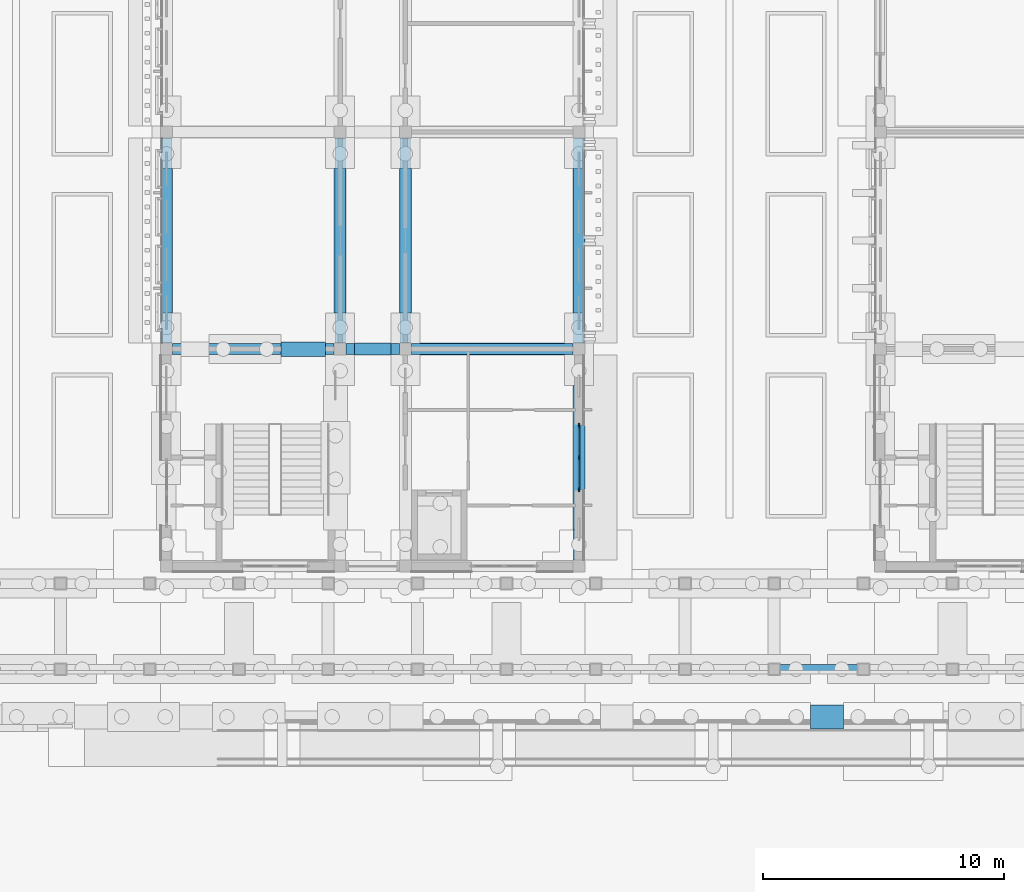
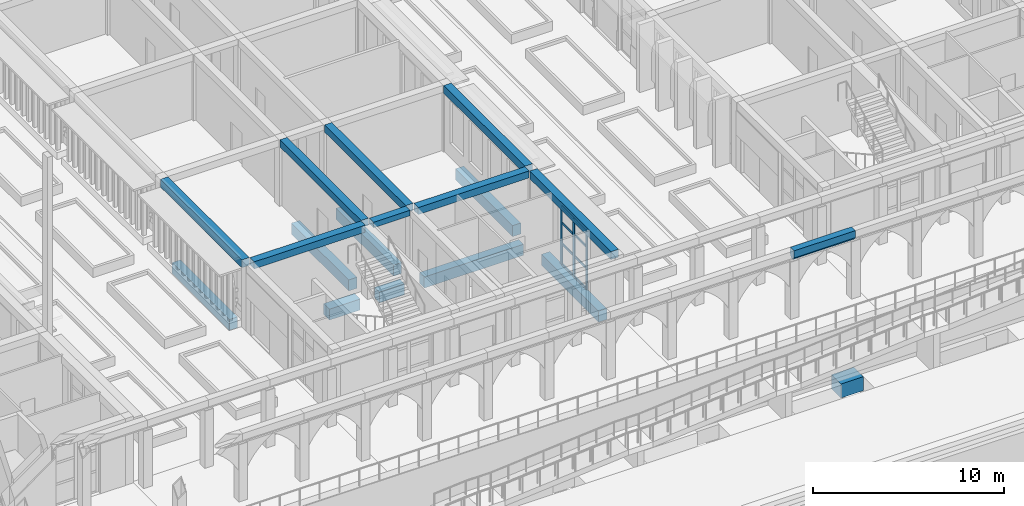
# One storey, part 32 of 161: 18 beams, 11 members, 1 element without a shape of its own.
"""IFC4 building model written with IfcOpenShell, lengths in metres."""

from ifc_helpers import new_model, si_unit, direction, frame, origin, origin_2d, place, context, subcontext, project, spatial, polyline, rectangle, outline, extrude, material, layer, layer_set, material_profile, profile_set, type_object, element, aggregate, save


model = new_model("IFC4")

# Units and contexts
model_context = context("Model", 3, precision=1e-05, world=origin(), true_north=direction((0.0, 1.0)))
body_context = subcontext(model_context, "Body", "Model", "MODEL_VIEW")
ifc_project = project(units=[si_unit("LENGTHUNIT", "METRE"), si_unit("AREAUNIT", "SQUARE_METRE"), si_unit("VOLUMEUNIT", "CUBIC_METRE"), si_unit("PLANEANGLEUNIT", "RADIAN"), si_unit("MASSUNIT", "GRAM", prefix="KILO")], contexts=[model_context])

# Site, building, storey
site_placement = place(None, origin())
site = spatial("IfcSite", under=ifc_project, at=site_placement, CompositionType="ELEMENT")
building_placement = place(site_placement, origin())
building = spatial("IfcBuilding", under=site, at=building_placement, Name="Elbe Cascade School", CompositionType="ELEMENT")
storey_placement = place(building_placement, origin())
storey = spatial("IfcBuildingStorey", under=building, at=storey_placement, Name="L00", CompositionType="ELEMENT", Elevation=0.0)

# Curtain wall, members
ifc_material_1 = material(Name="Aluminium frame with double glazing, bronze anodised", Category="aluminium")
ifc_layer = layer(ifc_material_1, 0.199951171875)
ifc_layer_set = layer_set([ifc_layer], Name="Aluminium frame with double glazing, bronze anodised")
curtain_wall_type = type_object("IfcCurtainWallType", Name="Bars envelope Curtain wall, aluminium, bronze anodised, ground floor tall run", PredefinedType="NOTDEFINED", material=ifc_layer_set)
curtain_wall_placement = place(storey_placement, origin())
curtain_wall = element("IfcCurtainWall", 1, at=curtain_wall_placement, inside=storey, type_object=curtain_wall_type, Name="Curtain wall CW3 C.L00.e1", PredefinedType="NOTDEFINED")
ifc_material_2 = material(Name="Aluminium mullion, bronze anodised", Category="aluminium")
ifc_material_profile_1 = material_profile(ifc_material_2, rectangle(XDim=0.06005859375, YDim=0.199951171875, at=origin_2d()), Name="Bars envelope Curtain wall mullion 60 x 200, aluminium, ground floor tall run")
ifc_profile_set_1 = profile_set([ifc_material_profile_1], Name="Aluminium mullion, bronze anodised")
member_type_1 = type_object("IfcMemberType", Name="Bars envelope Curtain wall mullion 60 x 200, aluminium, ground floor tall run", PredefinedType="MULLION", material=ifc_profile_set_1)
member_1_placement = place(storey_placement, frame((145.300048828125, 11.820068359375, 0.0), z_axis=(0.0, 0.0, 1.0), x_axis=(1.0, 0.0, 0.0)))
member_1 = element("IfcMember", 2, at=member_1_placement, type_object=member_type_1, Name="CW3 mullion 1", PredefinedType="MULLION", context=body_context, shape_type="SweptSolid", body=[
    extrude(rectangle(XDim=0.06005859375, YDim=0.199951171875, at=origin_2d()), origin(), (0.0, 0.0, 1.0), 3.75),
])
member_2_placement = place(storey_placement, frame((145.300048828125, 10.5, 0.0), z_axis=(0.0, 0.0, 1.0), x_axis=(1.0, 0.0, 0.0)))
member_2 = element("IfcMember", 3, at=member_2_placement, type_object=member_type_1, Name="CW3 mullion 2", PredefinedType="MULLION", context=body_context, shape_type="SweptSolid", body=[
    extrude(rectangle(XDim=0.06005859375, YDim=0.199951171875, at=origin_2d()), origin(), (0.0, 0.0, 1.0), 3.75),
])
member_3_placement = place(storey_placement, frame((145.300048828125, 9.179931640625, 0.0), z_axis=(0.0, 0.0, 1.0), x_axis=(1.0, 0.0, 0.0)))
member_3 = element("IfcMember", 4, at=member_3_placement, type_object=member_type_1, Name="CW3 mullion 3", PredefinedType="MULLION", context=body_context, shape_type="SweptSolid", body=[
    extrude(rectangle(XDim=0.06005859375, YDim=0.199951171875, at=origin_2d()), origin(), (0.0, 0.0, 1.0), 3.75),
])
ifc_material_3 = material(Name="Aluminium transom, bronze anodised", Category="aluminium")
ifc_material_profile_2 = material_profile(ifc_material_3, rectangle(XDim=0.06005859375, YDim=0.139892578125, at=origin_2d()), Name="Bars envelope Curtain wall transom 60 x 140, aluminium, ground floor tall run")
ifc_profile_set_2 = profile_set([ifc_material_profile_2], Name="Aluminium transom, bronze anodised")
member_type_2 = type_object("IfcMemberType", Name="Bars envelope Curtain wall transom 60 x 140, aluminium, ground floor tall run", PredefinedType="USERDEFINED", material=ifc_profile_set_2)
member_4_placement = place(storey_placement, frame((145.300048828125, 11.7900390625, 0.030029296875), z_axis=(0.0, -1.0, 0.0), x_axis=(1.0, 0.0, 0.0)))
member_4 = element("IfcMember", 5, at=member_4_placement, type_object=member_type_2, Name="CW3 transom 1.1", ObjectType="TRANSOM", PredefinedType="USERDEFINED", context=body_context, shape_type="SweptSolid", body=[
    extrude(rectangle(XDim=0.06005859375, YDim=0.139892578125, at=origin_2d()), origin(), (0.0, 0.0, 1.0), 1.260009765625),
])
member_5_placement = place(storey_placement, frame((145.300048828125, 11.7900390625, 1.35009765625), z_axis=(0.0, -1.0, 0.0), x_axis=(1.0, 0.0, 0.0)))
member_5 = element("IfcMember", 6, at=member_5_placement, type_object=member_type_2, Name="CW3 transom 1.2", ObjectType="TRANSOM", PredefinedType="USERDEFINED", context=body_context, shape_type="SweptSolid", body=[
    extrude(rectangle(XDim=0.06005859375, YDim=0.139892578125, at=origin_2d()), origin(), (0.0, 0.0, 1.0), 1.260009765625),
])
member_6_placement = place(storey_placement, frame((145.300048828125, 11.7900390625, 2.699951171875), z_axis=(0.0, -1.0, 0.0), x_axis=(1.0, 0.0, 0.0)))
member_6 = element("IfcMember", 7, at=member_6_placement, type_object=member_type_2, Name="CW3 transom 1.3", ObjectType="TRANSOM", PredefinedType="USERDEFINED", context=body_context, shape_type="SweptSolid", body=[
    extrude(rectangle(XDim=0.06005859375, YDim=0.139892578125, at=origin_2d()), origin(), (0.0, 0.0, 1.0), 1.260009765625),
])
member_7_placement = place(storey_placement, frame((145.300048828125, 11.7900390625, 3.719970703125), z_axis=(0.0, -1.0, 0.0), x_axis=(1.0, 0.0, 0.0)))
member_7 = element("IfcMember", 8, at=member_7_placement, type_object=member_type_2, Name="CW3 transom 1.4", ObjectType="TRANSOM", PredefinedType="USERDEFINED", context=body_context, shape_type="SweptSolid", body=[
    extrude(rectangle(XDim=0.06005859375, YDim=0.139892578125, at=origin_2d()), origin(), (0.0, 0.0, 1.0), 1.260009765625),
])
member_8_placement = place(storey_placement, frame((145.300048828125, 10.469970703125, 0.030029296875), z_axis=(0.0, -1.0, 0.0), x_axis=(1.0, 0.0, 0.0)))
member_8 = element("IfcMember", 9, at=member_8_placement, type_object=member_type_2, Name="CW3 transom 2.1", ObjectType="TRANSOM", PredefinedType="USERDEFINED", context=body_context, shape_type="SweptSolid", body=[
    extrude(rectangle(XDim=0.06005859375, YDim=0.139892578125, at=origin_2d()), origin(), (0.0, 0.0, 1.0), 1.260009765625),
])
member_9_placement = place(storey_placement, frame((145.300048828125, 10.469970703125, 1.35009765625), z_axis=(0.0, -1.0, 0.0), x_axis=(1.0, 0.0, 0.0)))
member_9 = element("IfcMember", 10, at=member_9_placement, type_object=member_type_2, Name="CW3 transom 2.2", ObjectType="TRANSOM", PredefinedType="USERDEFINED", context=body_context, shape_type="SweptSolid", body=[
    extrude(rectangle(XDim=0.06005859375, YDim=0.139892578125, at=origin_2d()), origin(), (0.0, 0.0, 1.0), 1.260009765625),
])
member_10_placement = place(storey_placement, frame((145.300048828125, 10.469970703125, 2.699951171875), z_axis=(0.0, -1.0, 0.0), x_axis=(1.0, 0.0, 0.0)))
member_10 = element("IfcMember", 11, at=member_10_placement, type_object=member_type_2, Name="CW3 transom 2.3", ObjectType="TRANSOM", PredefinedType="USERDEFINED", context=body_context, shape_type="SweptSolid", body=[
    extrude(rectangle(XDim=0.06005859375, YDim=0.139892578125, at=origin_2d()), origin(), (0.0, 0.0, 1.0), 1.260009765625),
])
member_11_placement = place(storey_placement, frame((145.300048828125, 10.469970703125, 3.719970703125), z_axis=(0.0, -1.0, 0.0), x_axis=(1.0, 0.0, 0.0)))
member_11 = element("IfcMember", 12, at=member_11_placement, type_object=member_type_2, Name="CW3 transom 2.4", ObjectType="TRANSOM", PredefinedType="USERDEFINED", context=body_context, shape_type="SweptSolid", body=[
    extrude(rectangle(XDim=0.06005859375, YDim=0.139892578125, at=origin_2d()), origin(), (0.0, 0.0, 1.0), 1.260009765625),
])
aggregate(curtain_wall, [member_1, member_2, member_3, member_4, member_5, member_6, member_7, member_8, member_9, member_10, member_11])

# Beams
ifc_material_4 = material(Name="Concrete C35/45", Category="concrete")
ifc_material_profile_3 = material_profile(ifc_material_4, outline(polyline([(-0.199951171875, 0.300048828125), (0.199951171875, 0.300048828125), (0.199951171875, -0.14990234375), (0.10009765625, -0.300048828125), (-0.10009765625, -0.300048828125), (-0.199951171875, -0.14990234375), (-0.199951171875, 0.300048828125)])), Name="RC arch 400x600")
ifc_profile_set_3 = profile_set([ifc_material_profile_3], Name="Concrete C35/45")
beam_type_1 = type_object("IfcBeamType", Name="Colonnade arch beam 400x600", PredefinedType="USERDEFINED", material=ifc_profile_set_3)
beam_1_placement = place(storey_placement, frame((153.39990234375, 1.72509765625, 3.949951171875), z_axis=(1.0, 0.0, 0.0), x_axis=(0.0, 1.0, 0.0)))
element("IfcBeam", 13, at=beam_1_placement, inside=storey, type_object=beam_type_1, Name="Colonnade arch beam F40", ObjectType="ARCH", PredefinedType="USERDEFINED", context=body_context, shape_type="SweptSolid", body=[
    extrude(outline(polyline([(-0.199951171875, 0.300048828125), (0.199951171875, 0.300048828125), (0.199951171875, -0.14990234375), (0.10009765625, -0.300048828125), (-0.10009765625, -0.300048828125), (-0.199951171875, -0.14990234375), (-0.199951171875, 0.300048828125)])), origin(), (0.0, 0.0, 1.0), 3.7001953125),
])
ifc_material_5 = material(Name="Concrete C30/37", Category="concrete")
ifc_material_profile_4 = material_profile(ifc_material_5, rectangle(XDim=1.0, YDim=0.89990234375, at=origin_2d()), Name="RC 1000x900")
ifc_profile_set_4 = profile_set([ifc_material_profile_4], Name="Concrete C30/37")
beam_type_2 = type_object("IfcBeamType", Name="Found ground beam RC 1000x900", PredefinedType="BEAM", material=ifc_profile_set_4)
beam_2_placement = place(storey_placement, frame((154.913818359375, -0.25, -3.85009765625), z_axis=(1.0, 0.0, 0.0), x_axis=(0.0, 1.0, 0.0)))
element("IfcBeam", 14, at=beam_2_placement, inside=storey, type_object=beam_type_2, Name="Ground beam 023", PredefinedType="BEAM", context=body_context, shape_type="SweptSolid", body=[
    extrude(rectangle(XDim=1.0, YDim=0.89990234375, at=origin_2d()), origin(), (0.0, 0.0, 1.0), 1.362060546875),
])
ifc_material_6 = material(Name="Concrete C30/37", Category="concrete")
ifc_material_profile_5 = material_profile(ifc_material_6, rectangle(XDim=0.5, YDim=0.699951171875, at=origin_2d()), Name="RC 500x700")
ifc_profile_set_5 = profile_set([ifc_material_profile_5], Name="Concrete C30/37")
beam_type_3 = type_object("IfcBeamType", Name="Found ground beam RC 500x700", PredefinedType="BEAM", material=ifc_profile_set_5)
beam_3_placement = place(storey_placement, frame((136.0, 15.0, -0.64990234375), z_axis=(1.0, 0.0, 0.0), x_axis=(0.0, 1.0, 0.0)))
element("IfcBeam", 15, at=beam_3_placement, inside=storey, type_object=beam_type_3, Name="Ground beam 253", PredefinedType="BEAM", context=body_context, shape_type="SweptSolid", body=[
    extrude(rectangle(XDim=0.5, YDim=0.699951171875, at=origin_2d()), origin(), (0.0, 0.0, 1.0), 1.5),
])
for number, where, z_axis, x_axis, name in (
    (16, (138.699951171875, 15.0, -0.64990234375), (1.0, 0.0, 0.0), (0.0, 1.0, 0.0), "Ground beam 254"),
    (17, (128.199951171875, 16.5, -0.64990234375), (0.0, 1.0, 0.0), (-1.0, 0.0, 0.0), "Ground beam 266"),
    (18, (135.39990234375, 16.5, -0.64990234375), (0.0, 1.0, 0.0), (-1.0, 0.0, 0.0), "Ground beam 270"),
    (19, (138.10009765625, 16.5, -0.64990234375), (0.0, 1.0, 0.0), (-1.0, 0.0, 0.0), "Ground beam 275"),
    (20, (145.300048828125, 7.5, -0.64990234375), (0.0, 1.0, 0.0), (-1.0, 0.0, 0.0), "Ground beam 280"),
    (21, (145.300048828125, 16.5, -0.64990234375), (0.0, 1.0, 0.0), (-1.0, 0.0, 0.0), "Ground beam 281"),
):
    element("IfcBeam", number, at=place(storey_placement, frame(where, z_axis=z_axis, x_axis=x_axis)), inside=storey, type_object=beam_type_3, Name=name, PredefinedType="BEAM", context=body_context, shape_type="SweptSolid", body=[
        extrude(rectangle(XDim=0.5, YDim=0.699951171875, at=origin_2d()), origin(), (0.0, 0.0, 1.0), 6.0),
    ])
ifc_material_7 = material(Name="Concrete C30/37", Category="concrete")
ifc_material_profile_6 = material_profile(ifc_material_7, rectangle(XDim=0.60009765625, YDim=0.699951171875, at=origin_2d()), Name="RC 600x700")
ifc_profile_set_6 = profile_set([ifc_material_profile_6], Name="Concrete C30/37")
beam_type_4 = type_object("IfcBeamType", Name="Found ground beam RC 600x700", PredefinedType="BEAM", material=ifc_profile_set_6)
beam_4_placement = place(storey_placement, frame((132.949951171875, 15.0, -0.64990234375), z_axis=(1.0, 0.0, 0.0), x_axis=(0.0, 1.0, 0.0)))
element("IfcBeam", 22, at=beam_4_placement, inside=storey, type_object=beam_type_4, Name="Ground beam 141", PredefinedType="BEAM", context=body_context, shape_type="SweptSolid", body=[
    extrude(rectangle(XDim=0.60009765625, YDim=0.699951171875, at=origin_2d()), origin(), (0.0, 0.0, 1.0), 1.85009765625),
])
ifc_material_8 = material(Name="Concrete C30/37", Category="concrete")
ifc_material_profile_7 = material_profile(ifc_material_8, rectangle(XDim=0.449951171875, YDim=0.35009765625, at=origin_2d()), Name="RC 450x350")
ifc_profile_set_7 = profile_set([ifc_material_profile_7], Name="Concrete C30/37")
beam_type_5 = type_object("IfcBeamType", Name="RC 450x350 beam", PredefinedType="BEAM", material=ifc_profile_set_7)
beam_5_placement = place(storey_placement, frame((135.64990234375, 15.0, 4.074951171875), z_axis=(1.0, 0.0, 0.0), x_axis=(0.0, 1.0, 0.0)))
element("IfcBeam", 23, at=beam_5_placement, inside=storey, type_object=beam_type_5, Name="RC 450x350 beam B11", PredefinedType="BEAM", context=body_context, shape_type="SweptSolid", body=[
    extrude(rectangle(XDim=0.449951171875, YDim=0.35009765625, at=origin_2d()), origin(), (0.0, 0.0, 1.0), 2.2001953125),
])
ifc_material_9 = material(Name="Concrete C30/37", Category="concrete")
ifc_material_profile_8 = material_profile(ifc_material_9, rectangle(XDim=0.449951171875, YDim=0.449951171875, at=origin_2d()), Name="RC 450x450")
ifc_profile_set_8 = profile_set([ifc_material_profile_8], Name="Concrete C30/37")
beam_type_6 = type_object("IfcBeamType", Name="RC 450x450 beam", PredefinedType="BEAM", material=ifc_profile_set_8)
for number, where, z_axis, x_axis, name in (
    (24, (135.39990234375, 15.25, 4.02490234375), (0.0, 1.0, 0.0), (-1.0, 0.0, 0.0), "RC 450x450 beam B10"),
    (25, (138.10009765625, 15.25, 4.02490234375), (0.0, 1.0, 0.0), (-1.0, 0.0, 0.0), "RC 450x450 beam B10"),
):
    element("IfcBeam", number, at=place(storey_placement, frame(where, z_axis=z_axis, x_axis=x_axis)), inside=storey, type_object=beam_type_6, Name=name, PredefinedType="BEAM", context=body_context, shape_type="SweptSolid", body=[
        extrude(rectangle(XDim=0.449951171875, YDim=0.449951171875, at=origin_2d()), origin(), (0.0, 0.0, 1.0), 8.5),
    ])
for number, where, z_axis, x_axis, name in (
    (26, (128.449951171875, 15.0, 4.02490234375), (1.0, 0.0, 0.0), (0.0, 1.0, 0.0), "RC 450x450 beam B10"),
    (27, (138.35009765625, 15.0, 4.02490234375), (1.0, 0.0, 0.0), (0.0, 1.0, 0.0), "RC 450x450 beam B10"),
):
    element("IfcBeam", number, at=place(storey_placement, frame(where, z_axis=z_axis, x_axis=x_axis)), inside=storey, type_object=beam_type_6, Name=name, PredefinedType="BEAM", context=body_context, shape_type="SweptSolid", body=[
        extrude(rectangle(XDim=0.449951171875, YDim=0.449951171875, at=origin_2d()), origin(), (0.0, 0.0, 1.0), 6.699951171875),
    ])
ifc_material_10 = material(Name="Concrete C30/37", Category="concrete")
ifc_material_profile_9 = material_profile(ifc_material_10, rectangle(XDim=0.449951171875, YDim=0.5, at=origin_2d()), Name="RC 450x500")
ifc_profile_set_9 = profile_set([ifc_material_profile_9], Name="Concrete C30/37")
beam_type_7 = type_object("IfcBeamType", Name="RC 450x500 beam", PredefinedType="BEAM", material=ifc_profile_set_9)
for number, where, z_axis, x_axis, name in (
    (28, (128.199951171875, 15.25, 4.0), (0.0, 1.0, 0.0), (-1.0, 0.0, 0.0), "RC 450x500 beam B9"),
    (29, (145.300048828125, 6.25, 4.0), (0.0, 1.0, 0.0), (-1.0, 0.0, 0.0), "RC 450x500 beam B9"),
    (30, (145.300048828125, 15.25, 4.0), (0.0, 1.0, 0.0), (-1.0, 0.0, 0.0), "RC 450x500 beam B9"),
):
    element("IfcBeam", number, at=place(storey_placement, frame(where, z_axis=z_axis, x_axis=x_axis)), inside=storey, type_object=beam_type_7, Name=name, PredefinedType="BEAM", context=body_context, shape_type="SweptSolid", body=[
        extrude(rectangle(XDim=0.449951171875, YDim=0.5, at=origin_2d()), origin(), (0.0, 0.0, 1.0), 8.5),
    ])

save(model, "model.ifc")
